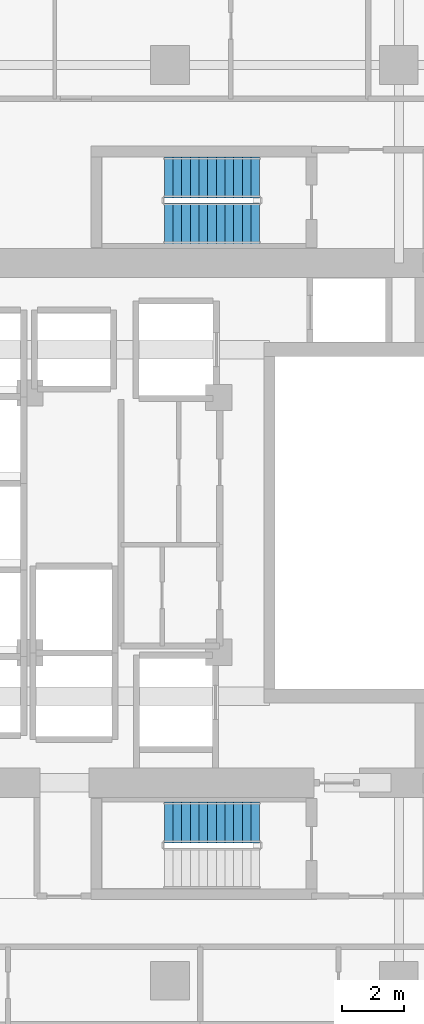
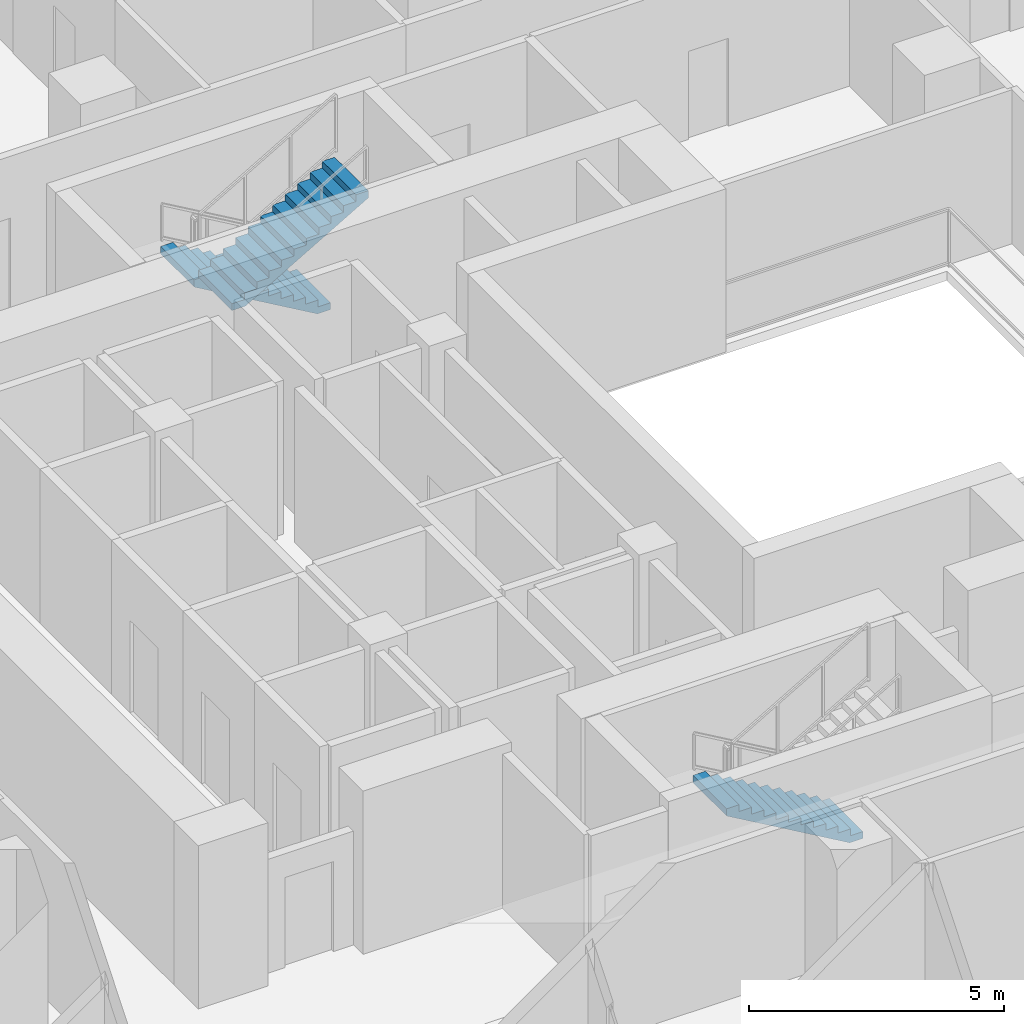
# One storey, part 24 of 28: 3 stair flights, 2 elements without a shape of their own.
"""IFC4 building model written with IfcOpenShell, lengths in metres."""

from ifc_helpers import new_model, si_unit, direction, frame, origin, place, context, subcontext, project, spatial, polyline, outline, extrude, material, type_object, element, aggregate, save


model = new_model("IFC4")

# Units and contexts
model_context = context("Model", 3, precision=1e-05, world=origin(), true_north=direction((0.0, 1.0)))
body_context = subcontext(model_context, "Body", "Model", "MODEL_VIEW")
ifc_project = project(units=[si_unit("LENGTHUNIT", "METRE"), si_unit("AREAUNIT", "SQUARE_METRE"), si_unit("VOLUMEUNIT", "CUBIC_METRE"), si_unit("PLANEANGLEUNIT", "RADIAN"), si_unit("MASSUNIT", "GRAM", prefix="KILO")], contexts=[model_context])

# Site, building, storey
site_placement = place(None, origin())
site = spatial("IfcSite", under=ifc_project, at=site_placement, CompositionType="ELEMENT")
building_placement = place(site_placement, origin())
building = spatial("IfcBuilding", under=site, at=building_placement, Name="Khorvyn Point Tower", CompositionType="ELEMENT")
storey_placement = place(building_placement, frame((0.0, 0.0, 100.800048828125)))
storey = spatial("IfcBuildingStorey", under=building, at=storey_placement, Name="L25", CompositionType="ELEMENT", Elevation=100.800048828125)

# Stair, stair flight
ifc_material = material(Name="Concrete C40/50", Category="concrete")
stair_type = type_object("IfcStairType", Name="Tower Concrete C40/50 Dogleg Exit Stair", PredefinedType="HALF_TURN_STAIR", material=ifc_material)
stair_1_placement = place(storey_placement, origin())
stair_1 = element("IfcStair", 1, at=stair_1_placement, inside=storey, type_object=stair_type, Name="L25 Tower Smokeproof Exit Stair South", PredefinedType="HALF_TURN_STAIR")
stair_flight_type = type_object("IfcStairFlightType", Name="Tower Concrete C40/50 Stair Flight", PredefinedType="STRAIGHT", material=ifc_material)
stair_flight_1_placement = place(storey_placement, frame((2.89990234375, -9.679931640625, 0.0), z_axis=(0.0, 0.0, 1.0), x_axis=(-1.0, 0.0, 0.0)))
stair_flight_1 = element("IfcStairFlight", 2, at=stair_flight_1_placement, type_object=stair_flight_type, Name="ST-01 flight 1", NumberOfRisers=12, NumberOfTreads=11, PredefinedType="STRAIGHT", RiserHeight=0.1625, TreadLength=0.28, context=body_context, shape_type="SweptSolid", body=[
    extrude(outline(polyline([(0.0, 0.0), (0.0, 0.16259765625), (0.280029296875, 0.16259765625), (0.280029296875, 0.324951171875), (0.56005859375, 0.324951171875), (0.56005859375, 0.487548828125), (0.840087890625, 0.487548828125), (0.840087890625, 0.64990234375), (1.1201171875, 0.64990234375), (1.1201171875, 0.8125), (1.39990234375, 0.8125), (1.39990234375, 0.97509765625), (1.679931640625, 0.97509765625), (1.679931640625, 1.137451171875), (1.9599609375, 1.137451171875), (1.9599609375, 1.300048828125), (2.239990234375, 1.300048828125), (2.239990234375, 1.46240234375), (2.52001953125, 1.46240234375), (2.52001953125, 1.625), (2.800048828125, 1.625), (2.800048828125, 1.78759765625), (3.080078125, 1.78759765625), (3.080078125, 1.949951171875), (3.080078125, 1.6142578125), (0.298583984375, 0.0), (0.0, 0.0)])), frame((0.0, 0.66015625, 0.0), z_axis=(0.0, -1.0, 0.0), x_axis=(1.0, 0.0, 0.0)), (0.0, 0.0, 1.0), 1.320068359375),
])
aggregate(stair_1, [stair_flight_1])

# Stair, stair flights
stair_2_placement = place(storey_placement, origin())
stair_2 = element("IfcStair", 3, at=stair_2_placement, inside=storey, type_object=stair_type, Name="L25 Tower Smokeproof Exit Stair North", PredefinedType="HALF_TURN_STAIR")
stair_flight_2_placement = place(storey_placement, frame((2.89990234375, 11.159912109375, 0.0), z_axis=(0.0, 0.0, 1.0), x_axis=(-1.0, 0.0, 0.0)))
stair_flight_2 = element("IfcStairFlight", 4, at=stair_flight_2_placement, type_object=stair_flight_type, Name="ST-02 flight 1", NumberOfRisers=12, NumberOfTreads=11, PredefinedType="STRAIGHT", RiserHeight=0.1625, TreadLength=0.28, context=body_context, shape_type="SweptSolid", body=[
    extrude(outline(polyline([(0.0, 0.0), (0.0, 0.16259765625), (0.280029296875, 0.16259765625), (0.280029296875, 0.324951171875), (0.56005859375, 0.324951171875), (0.56005859375, 0.487548828125), (0.840087890625, 0.487548828125), (0.840087890625, 0.64990234375), (1.1201171875, 0.64990234375), (1.1201171875, 0.8125), (1.39990234375, 0.8125), (1.39990234375, 0.97509765625), (1.679931640625, 0.97509765625), (1.679931640625, 1.137451171875), (1.9599609375, 1.137451171875), (1.9599609375, 1.300048828125), (2.239990234375, 1.300048828125), (2.239990234375, 1.46240234375), (2.52001953125, 1.46240234375), (2.52001953125, 1.625), (2.800048828125, 1.625), (2.800048828125, 1.78759765625), (3.080078125, 1.78759765625), (3.080078125, 1.949951171875), (3.080078125, 1.6142578125), (0.298583984375, 0.0), (0.0, 0.0)])), frame((0.0, 0.66015625, 0.0), z_axis=(0.0, -1.0, 0.0), x_axis=(1.0, 0.0, 0.0)), (0.0, 0.0, 1.0), 1.320068359375),
])
stair_flight_3_placement = place(storey_placement, frame((-0.179931640625, 9.679931640625, 1.949951171875), z_axis=(0.0, 0.0, 1.0), x_axis=(1.0, 0.0, 0.0)))
stair_flight_3 = element("IfcStairFlight", 5, at=stair_flight_3_placement, type_object=stair_flight_type, Name="ST-02 flight 2", NumberOfRisers=12, NumberOfTreads=11, PredefinedType="STRAIGHT", RiserHeight=0.1625, TreadLength=0.28, context=body_context, shape_type="SweptSolid", body=[
    extrude(outline(polyline([(0.0, 0.0), (0.0, 0.16259765625), (0.280029296875, 0.16259765625), (0.280029296875, 0.324951171875), (0.56005859375, 0.324951171875), (0.56005859375, 0.487548828125), (0.840087890625, 0.487548828125), (0.840087890625, 0.64990234375), (1.1201171875, 0.64990234375), (1.1201171875, 0.8125), (1.39990234375, 0.8125), (1.39990234375, 0.97509765625), (1.679931640625, 0.97509765625), (1.679931640625, 1.137451171875), (1.9599609375, 1.137451171875), (1.9599609375, 1.300048828125), (2.239990234375, 1.300048828125), (2.239990234375, 1.46240234375), (2.52001953125, 1.46240234375), (2.52001953125, 1.625), (2.800048828125, 1.625), (2.800048828125, 1.78759765625), (3.080078125, 1.78759765625), (3.080078125, 1.949951171875), (3.080078125, 1.6142578125), (0.298583984375, 0.0), (0.0, 0.0)])), frame((0.0, 0.66015625, 0.0), z_axis=(0.0, -1.0, 0.0), x_axis=(1.0, 0.0, 0.0)), (0.0, 0.0, 1.0), 1.320068359375),
])
aggregate(stair_2, [stair_flight_2, stair_flight_3])

save(model, "model.ifc")
